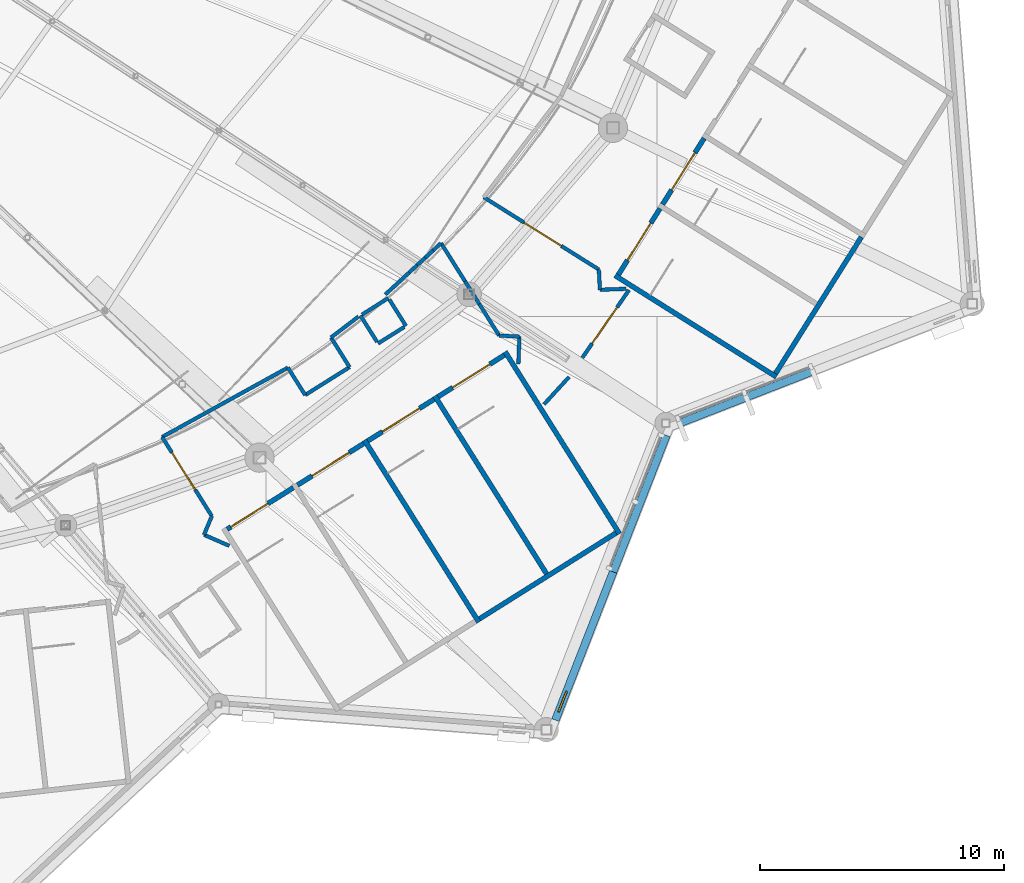
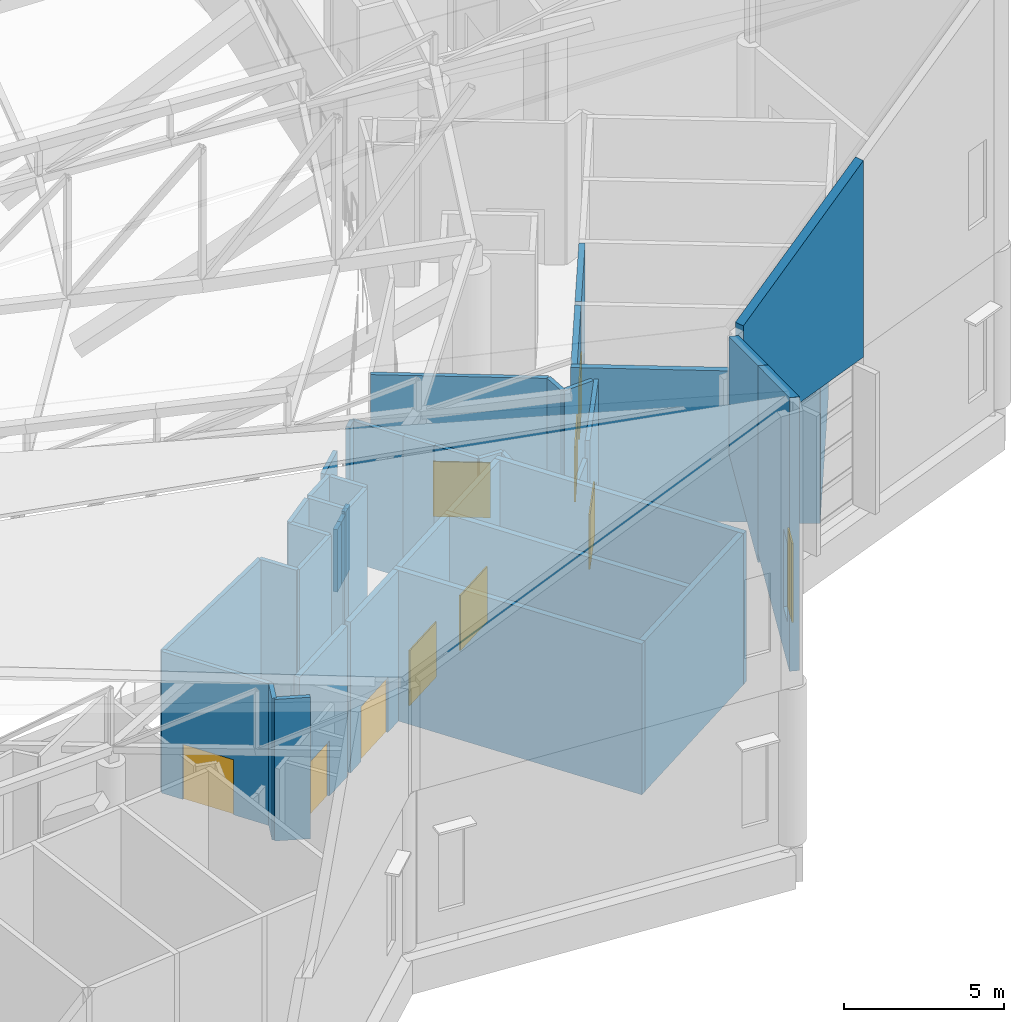
# One storey, part 255 of 344: 42 walls, 9 doors, 1 window, 10 openings.
"""IFC4 building model written with IfcOpenShell, lengths in metres."""

from ifc_helpers import new_model, si_unit, direction, frame, frame_2d, origin, place, context, subcontext, project, spatial, polyline, rectangle, outline, extrude, material, layer, layer_set, type_object, element, fill, save


model = new_model("IFC4")

# Units and contexts
model_context = context("Model", 3, precision=1e-05, world=origin(), true_north=direction((0.0, 1.0)))
body_context = subcontext(model_context, "Body", "Model", "MODEL_VIEW")
ifc_project = project(units=[si_unit("LENGTHUNIT", "METRE"), si_unit("AREAUNIT", "SQUARE_METRE"), si_unit("VOLUMEUNIT", "CUBIC_METRE"), si_unit("PLANEANGLEUNIT", "RADIAN"), si_unit("MASSUNIT", "GRAM", prefix="KILO")], contexts=[model_context])

# Site, building, storey
site_placement = place(None, origin())
site = spatial("IfcSite", under=ifc_project, at=site_placement, CompositionType="ELEMENT")
building_placement = place(site_placement, origin())
building = spatial("IfcBuilding", under=site, at=building_placement, Name="Meseta Stadium", CompositionType="ELEMENT")
storey_placement = place(building_placement, frame((0.0, 0.0, 24.0)))
storey = spatial("IfcBuildingStorey", under=building, at=storey_placement, Name="L04", CompositionType="ELEMENT", Elevation=24.0)

# Walls
ifc_material_1 = material(Name="Concrete C40/50", Category="concrete")
ifc_layer_1 = layer(ifc_material_1, 0.199951171875)
ifc_layer_set_1 = layer_set([ifc_layer_1], Name="Core divider wall 200")
wall_type_1 = type_object("IfcWallType", Name="Core divider wall 200", PredefinedType="SHEAR", material=ifc_layer_set_1)
wall_1_placement = place(storey_placement, frame((75.5869140625, -90.696533203125, 0.0), z_axis=(0.0, 0.0, 1.0), x_axis=(-0.532044832901, 0.846716183726, 0.0)))
element("IfcWall", 1, at=wall_1_placement, inside=storey, type_object=wall_type_1, Name="Core 27 L04 stair B divider wall", PredefinedType="SHEAR", context=body_context, shape_type="SweptSolid", body=[
    extrude(rectangle(XDim=8.7998046875, YDim=0.199951171875, at=frame_2d((4.39990234375, 0.0))), origin(), (0.0, 0.0, 1.0), 5.75),
])
ifc_material_2 = material(Name="Concrete C40/50", Category="concrete")
ifc_layer_2 = layer(ifc_material_2, 0.199951171875)
ifc_layer_set_2 = layer_set([ifc_layer_2], Name="Core shaft wall 200")
wall_type_2 = type_object("IfcWallType", Name="Core shaft wall 200", PredefinedType="SHEAR", material=ifc_layer_set_2)
for number, where, z_axis, x_axis, name in (
    (2, (72.7080078125, -92.505615234375, 0.0), (0.0, 0.0, 1.0), (-0.532032334759, 0.846724036963, 0.0), "Core 27 L04 stair wall shared"),
    (3, (78.4658203125, -88.8876953125, 0.0), (0.0, 0.0, 1.0), (-0.532032334759, 0.846724036963, 0.0), "Core 27 L04 stair wall B-side"),
):
    element("IfcWall", number, at=place(storey_placement, frame(where, z_axis=z_axis, x_axis=x_axis)), inside=storey, type_object=wall_type_2, Name=name, PredefinedType="SHEAR", context=body_context, shape_type="SweptSolid", body=[
        extrude(rectangle(XDim=8.800048828125, YDim=0.199951171875, at=frame_2d((4.39990234375, 0.0))), origin(), (0.0, 0.0, 1.0), 5.75),
    ])
wall_2_placement = place(storey_placement, frame((72.739501953125, -92.36767578125, 0.0), z_axis=(0.0, 0.0, 1.0), x_axis=(0.846719870989, 0.532038964807, 0.0)))
element("IfcWall", 4, at=wall_2_placement, inside=storey, type_object=wall_type_2, Name="Core 27 L04 stair B outer end wall", PredefinedType="SHEAR", context=body_context, shape_type="SweptSolid", body=[
    extrude(rectangle(XDim=6.60009765625, YDim=0.199951171875, at=frame_2d((3.300048828125, 0.0))), origin(), (0.0, 0.0, 1.0), 5.75),
])

# Wall, opening, door
wall_3_placement = place(storey_placement, frame((62.40625, -88.70361328125, 0.0), z_axis=(0.0, 0.0, 1.0), x_axis=(0.846735733015, 0.532013720158, 0.0)))
wall_3 = element("IfcWall", 5, at=wall_3_placement, inside=storey, type_object=wall_type_2, Name="Core 27 L04 stair A1 inner end wall", PredefinedType="SHEAR", context=body_context, shape_type="SweptSolid", body=[
    extrude(rectangle(XDim=3.199951171875, YDim=0.199951171875, at=frame_2d((1.60009765625, 0.0))), origin(), (0.0, 0.0, 1.0), 5.75),
])
opening_1_placement = place(wall_3_placement, frame((0.177978515625, 0.0, 0.0)))
opening_1 = element("IfcOpeningElement", 6, at=opening_1_placement, cuts=wall_3, Name="Opening D1620", PredefinedType="OPENING", context=body_context, shape_type="SweptSolid", body=[
    extrude(rectangle(XDim=1.800048828125, YDim=2.10009765625, at=frame_2d((0.89990234375, 1.050048828125))), frame((0.0, 0.10986328125, 0.0), z_axis=(0.0, -1.0, 0.0), x_axis=(1.0, 0.0, 0.0)), (0.0, 0.0, 1.0), 0.219970703125),
])
ifc_material_3 = material(Name="Steel", Category="steel")
door_type_1 = type_object("IfcDoorType", Name="Stair door 1800x2100", OperationType="DOUBLE_DOOR_SINGLE_SWING", PredefinedType="DOOR", material=ifc_material_3)
door_1_placement = place(opening_1_placement, origin())
door_1 = element("IfcDoor", 7, at=door_1_placement, inside=storey, type_object=door_type_1, Name="Stair A1 door 27 L04", OperationType="DOUBLE_DOOR_SINGLE_SWING", OverallHeight=2.10009765625, OverallWidth=1.800048828125, PredefinedType="DOOR", context=body_context, shape_type="SweptSolid", body=[
    extrude(rectangle(XDim=1.800048828125, YDim=2.10009765625, at=frame_2d((0.89990234375, 1.050048828125))), frame((0.0, 0.02490234375, 0.0), z_axis=(0.0, -1.0, 0.0), x_axis=(1.0, 0.0, 0.0)), (0.0, 0.0, 1.0), 0.050048828125),
])
fill(opening_1, door_1)

wall_4_placement = place(storey_placement, frame((65.28515625, -86.894775390625, 0.0), z_axis=(0.0, 0.0, 1.0), x_axis=(0.846735733015, 0.532013720158, 0.0)))
wall_4 = element("IfcWall", 8, at=wall_4_placement, inside=storey, type_object=wall_type_2, Name="Core 27 L04 stair A2 inner end wall", PredefinedType="SHEAR", context=body_context, shape_type="SweptSolid", body=[
    extrude(rectangle(XDim=3.199951171875, YDim=0.199951171875, at=frame_2d((1.60009765625, 0.0))), origin(), (0.0, 0.0, 1.0), 5.75),
])
opening_2_placement = place(wall_4_placement, frame((0.699951171875, 0.0, 0.0)))
opening_2 = element("IfcOpeningElement", 9, at=opening_2_placement, cuts=wall_4, Name="Opening D1623", PredefinedType="OPENING", context=body_context, shape_type="SweptSolid", body=[
    extrude(rectangle(XDim=1.800048828125, YDim=2.10009765625, at=frame_2d((0.89990234375, 1.050048828125))), frame((0.0, 0.10986328125, 0.0), z_axis=(0.0, -1.0, 0.0), x_axis=(1.0, 0.0, 0.0)), (0.0, 0.0, 1.0), 0.219970703125),
])
door_2_placement = place(opening_2_placement, origin())
door_2 = element("IfcDoor", 10, at=door_2_placement, inside=storey, type_object=door_type_1, Name="Stair A2 door 27 L04", OperationType="DOUBLE_DOOR_SINGLE_SWING", OverallHeight=2.10009765625, OverallWidth=1.800048828125, PredefinedType="DOOR", context=body_context, shape_type="SweptSolid", body=[
    extrude(rectangle(XDim=1.800048828125, YDim=2.10009765625, at=frame_2d((0.89990234375, 1.050048828125))), frame((0.0, 0.02490234375, 0.0), z_axis=(0.0, -1.0, 0.0), x_axis=(1.0, 0.0, 0.0)), (0.0, 0.0, 1.0), 0.050048828125),
])
fill(opening_2, door_2)

wall_5_placement = place(storey_placement, frame((68.1640625, -85.0859375, 0.0), z_axis=(0.0, 0.0, 1.0), x_axis=(0.84670136309, 0.53206841829, 0.0)))
wall_5 = element("IfcWall", 11, at=wall_5_placement, inside=storey, type_object=wall_type_2, Name="Core 27 L04 stair B1 inner end wall", PredefinedType="SHEAR", context=body_context, shape_type="SweptSolid", body=[
    extrude(rectangle(XDim=3.199951171875, YDim=0.199951171875, at=frame_2d((1.60009765625, 0.0))), origin(), (0.0, 0.0, 1.0), 5.75),
])
opening_3_placement = place(wall_5_placement, frame((0.699951171875, 0.0, 0.0)))
opening_3 = element("IfcOpeningElement", 12, at=opening_3_placement, cuts=wall_5, Name="Opening D1624", PredefinedType="OPENING", context=body_context, shape_type="SweptSolid", body=[
    extrude(rectangle(XDim=1.800048828125, YDim=2.10009765625, at=frame_2d((0.89990234375, 1.050048828125))), frame((0.0, 0.10986328125, 0.0), z_axis=(0.0, -1.0, 0.0), x_axis=(1.0, 0.0, 0.0)), (0.0, 0.0, 1.0), 0.219970703125),
])
door_3_placement = place(opening_3_placement, origin())
door_3 = element("IfcDoor", 13, at=door_3_placement, inside=storey, type_object=door_type_1, Name="Stair B1 door 27 L04", OperationType="DOUBLE_DOOR_SINGLE_SWING", OverallHeight=2.10009765625, OverallWidth=1.800048828125, PredefinedType="DOOR", context=body_context, shape_type="SweptSolid", body=[
    extrude(rectangle(XDim=1.800048828125, YDim=2.10009765625, at=frame_2d((0.89990234375, 1.050048828125))), frame((0.0, 0.02490234375, 0.0), z_axis=(0.0, -1.0, 0.0), x_axis=(1.0, 0.0, 0.0)), (0.0, 0.0, 1.0), 0.050048828125),
])
fill(opening_3, door_3)

wall_6_placement = place(storey_placement, frame((71.04296875, -83.27685546875, 0.0), z_axis=(0.0, 0.0, 1.0), x_axis=(0.846735733015, 0.532013720158, 0.0)))
wall_6 = element("IfcWall", 14, at=wall_6_placement, inside=storey, type_object=wall_type_2, Name="Core 27 L04 stair B2 inner end wall", PredefinedType="SHEAR", context=body_context, shape_type="SweptSolid", body=[
    extrude(rectangle(XDim=3.199951171875, YDim=0.199951171875, at=frame_2d((1.60009765625, 0.0))), origin(), (0.0, 0.0, 1.0), 5.75),
])
opening_4_placement = place(wall_6_placement, frame((0.699951171875, 0.0, 0.0)))
opening_4 = element("IfcOpeningElement", 15, at=opening_4_placement, cuts=wall_6, Name="Opening D1626", PredefinedType="OPENING", context=body_context, shape_type="SweptSolid", body=[
    extrude(rectangle(XDim=1.800048828125, YDim=2.10009765625, at=frame_2d((0.89990234375, 1.050048828125))), frame((0.0, 0.10986328125, 0.0), z_axis=(0.0, -1.0, 0.0), x_axis=(1.0, 0.0, 0.0)), (0.0, 0.0, 1.0), 0.219970703125),
])
door_4_placement = place(opening_4_placement, origin())
door_4 = element("IfcDoor", 16, at=door_4_placement, inside=storey, type_object=door_type_1, Name="Stair B2 door 27 L04", OperationType="DOUBLE_DOOR_SINGLE_SWING", OverallHeight=2.10009765625, OverallWidth=1.800048828125, PredefinedType="DOOR", context=body_context, shape_type="SweptSolid", body=[
    extrude(rectangle(XDim=1.800048828125, YDim=2.10009765625, at=frame_2d((0.89990234375, 1.050048828125))), frame((0.0, 0.02490234375, 0.0), z_axis=(0.0, -1.0, 0.0), x_axis=(1.0, 0.0, 0.0)), (0.0, 0.0, 1.0), 0.050048828125),
])
fill(opening_4, door_4)

# Walls
wall_7_placement = place(storey_placement, frame((84.8876953125, -82.4658203125, 0.0), z_axis=(0.0, 0.0, 1.0), x_axis=(-0.846722763703, 0.532034361135, 0.0)))
element("IfcWall", 17, at=wall_7_placement, inside=storey, type_object=wall_type_2, Name="Core 28 L04 stair wall A-side", PredefinedType="SHEAR", context=body_context, shape_type="SweptSolid", body=[
    extrude(rectangle(XDim=7.800048828125, YDim=0.199951171875, at=frame_2d((3.89990234375, 0.0))), origin(), (0.0, 0.0, 1.0), 5.75),
])
wall_8_placement = place(storey_placement, frame((84.856201171875, -82.327880859375, 0.0), z_axis=(0.0, 0.0, 1.0), x_axis=(0.532038964807, 0.846719870989, 0.0)))
element("IfcWall", 18, at=wall_8_placement, inside=storey, type_object=wall_type_2, Name="Core 28 L04 stair A outer end wall", PredefinedType="SHEAR", context=body_context, shape_type="SweptSolid", body=[
    extrude(rectangle(XDim=6.60009765625, YDim=0.199951171875, at=frame_2d((3.300048828125, 0.0))), origin(), (0.0, 0.0, 1.0), 5.75),
])

# Wall, opening, door
wall_9_placement = place(storey_placement, frame((78.421142578125, -78.284423828125, 0.0), z_axis=(0.0, 0.0, 1.0), x_axis=(0.53206841829, 0.84670136309, 0.0)))
wall_9 = element("IfcWall", 19, at=wall_9_placement, inside=storey, type_object=wall_type_2, Name="Core 28 L04 stair A1 inner end wall", PredefinedType="SHEAR", context=body_context, shape_type="SweptSolid", body=[
    extrude(rectangle(XDim=3.199951171875, YDim=0.199951171875, at=frame_2d((1.60009765625, 0.0))), origin(), (0.0, 0.0, 1.0), 5.75),
])
opening_5_placement = place(wall_9_placement, frame((0.699951171875, 0.0, 0.0)))
opening_5 = element("IfcOpeningElement", 20, at=opening_5_placement, cuts=wall_9, Name="Opening D1633", PredefinedType="OPENING", context=body_context, shape_type="SweptSolid", body=[
    extrude(rectangle(XDim=1.800048828125, YDim=2.10009765625, at=frame_2d((0.89990234375, 1.050048828125))), frame((0.0, 0.10986328125, 0.0), z_axis=(0.0, -1.0, 0.0), x_axis=(1.0, 0.0, 0.0)), (0.0, 0.0, 1.0), 0.219970703125),
])
door_5_placement = place(opening_5_placement, origin())
door_5 = element("IfcDoor", 21, at=door_5_placement, inside=storey, type_object=door_type_1, Name="Stair A1 door 28 L04", OperationType="DOUBLE_DOOR_SINGLE_SWING", OverallHeight=2.10009765625, OverallWidth=1.800048828125, PredefinedType="DOOR", context=body_context, shape_type="SweptSolid", body=[
    extrude(rectangle(XDim=1.800048828125, YDim=2.10009765625, at=frame_2d((0.89990234375, 1.050048828125))), frame((0.0, 0.02490234375, 0.0), z_axis=(0.0, -1.0, 0.0), x_axis=(1.0, 0.0, 0.0)), (0.0, 0.0, 1.0), 0.050048828125),
])
fill(opening_5, door_5)

wall_10_placement = place(storey_placement, frame((80.22998046875, -75.405517578125, 0.0), z_axis=(0.0, 0.0, 1.0), x_axis=(0.53206841829, 0.84670136309, 0.0)))
wall_10 = element("IfcWall", 22, at=wall_10_placement, inside=storey, type_object=wall_type_2, Name="Core 28 L04 stair A2 inner end wall", PredefinedType="SHEAR", context=body_context, shape_type="SweptSolid", body=[
    extrude(rectangle(XDim=3.199951171875, YDim=0.199951171875, at=frame_2d((1.60009765625, 0.0))), origin(), (0.0, 0.0, 1.0), 5.75),
])
opening_6_placement = place(wall_10_placement, frame((0.699951171875, 0.0, 0.0)))
opening_6 = element("IfcOpeningElement", 23, at=opening_6_placement, cuts=wall_10, Name="Opening D1635", PredefinedType="OPENING", context=body_context, shape_type="SweptSolid", body=[
    extrude(rectangle(XDim=1.800048828125, YDim=2.10009765625, at=frame_2d((0.89990234375, 1.050048828125))), frame((0.0, 0.10986328125, 0.0), z_axis=(0.0, -1.0, 0.0), x_axis=(1.0, 0.0, 0.0)), (0.0, 0.0, 1.0), 0.219970703125),
])
door_6_placement = place(opening_6_placement, origin())
door_6 = element("IfcDoor", 24, at=door_6_placement, inside=storey, type_object=door_type_1, Name="Stair A2 door 28 L04", OperationType="DOUBLE_DOOR_SINGLE_SWING", OverallHeight=2.10009765625, OverallWidth=1.800048828125, PredefinedType="DOOR", context=body_context, shape_type="SweptSolid", body=[
    extrude(rectangle(XDim=1.800048828125, YDim=2.10009765625, at=frame_2d((0.89990234375, 1.050048828125))), frame((0.0, 0.02490234375, 0.0), z_axis=(0.0, -1.0, 0.0), x_axis=(1.0, 0.0, 0.0)), (0.0, 0.0, 1.0), 0.050048828125),
])
fill(opening_6, door_6)

# Wall
ifc_material_4 = material(Name="Masonry blockwork", Category="masonry")
ifc_layer_3 = layer(ifc_material_4, 0.14990234375)
ifc_layer_set_3 = layer_set([ifc_layer_3], Name="Partition 150")
wall_type_3 = type_object("IfcWallType", Name="Partition 150", PredefinedType="PARTITIONING", material=ifc_layer_set_3)
wall_11_placement = place(storey_placement, frame((75.374755859375, -83.592529296875, 0.0), z_axis=(0.0, 0.0, 1.0), x_axis=(0.675448373627, 0.737407278622, 0.0)))
element("IfcWall", 25, at=wall_11_placement, inside=storey, type_object=wall_type_3, Name="Partition L04 L04-cell26-1-0", PredefinedType="PARTITIONING", context=body_context, shape_type="SweptSolid", body=[
    extrude(rectangle(XDim=1.52099609375, YDim=0.14990234375, at=frame_2d((0.760498046875, 0.0))), origin(), (0.0, 0.0, 1.0), 5.39990234375),
])

# Wall, opening, door
wall_12_placement = place(storey_placement, frame((76.947021484375, -81.679931640625, 0.0), z_axis=(0.0, 0.0, 1.0), x_axis=(0.567452953266, 0.823405820862, 0.0)))
wall_12 = element("IfcWall", 26, at=wall_12_placement, inside=storey, type_object=wall_type_3, Name="Partition L04 L04-cell26-1-0", PredefinedType="PARTITIONING", context=body_context, shape_type="SweptSolid", body=[
    extrude(rectangle(XDim=3.3623046875, YDim=0.14990234375, at=frame_2d((1.68115234375, 0.0))), origin(), (0.0, 0.0, 1.0), 5.39990234375),
])
opening_7_placement = place(wall_12_placement, frame((0.699951171875, 0.0, 0.0)))
opening_7 = element("IfcOpeningElement", 27, at=opening_7_placement, cuts=wall_12, Name="Opening D1631", PredefinedType="OPENING", context=body_context, shape_type="SweptSolid", body=[
    extrude(rectangle(XDim=1.800048828125, YDim=2.10009765625, at=frame_2d((0.89990234375, 1.050048828125))), frame((0.0, 0.0849609375, 0.0), z_axis=(0.0, -1.0, 0.0), x_axis=(1.0, 0.0, 0.0)), (0.0, 0.0, 1.0), 0.169921875),
])
ifc_material_5 = material(Name="Timber", Category="wood")
door_type_2 = type_object("IfcDoorType", Name="Room double door 1800x2100", OperationType="DOUBLE_DOOR_SINGLE_SWING", PredefinedType="DOOR", material=ifc_material_5)
door_7_placement = place(opening_7_placement, origin())
door_7 = element("IfcDoor", 28, at=door_7_placement, inside=storey, type_object=door_type_2, Name="Room door L04 L04-cell26-1-0", OperationType="DOUBLE_DOOR_SINGLE_SWING", OverallHeight=2.10009765625, OverallWidth=1.800048828125, PredefinedType="DOOR", context=body_context, shape_type="SweptSolid", body=[
    extrude(rectangle(XDim=1.800048828125, YDim=2.10009765625, at=frame_2d((0.89990234375, 1.050048828125))), frame((0.0, 0.02490234375, 0.0), z_axis=(0.0, -1.0, 0.0), x_axis=(1.0, 0.0, 0.0)), (0.0, 0.0, 1.0), 0.050048828125),
])
fill(opening_7, door_7)

# Walls
for number, where, z_axis, x_axis, name in (
    (29, (68.58203125, -81.09912109375, 0.0), (0.0, 0.0, 1.0), (0.846683377265, 0.532097038765, 0.0), "Pressurisation shaft wall L04 core 27"),
    (30, (69.72509765625, -80.380859375, 0.0), (0.0, 0.0, 1.0), (-0.532097038765, 0.846683377265, 0.0), "Pressurisation shaft wall L04 core 27"),
):
    element("IfcWall", number, at=place(storey_placement, frame(where, z_axis=z_axis, x_axis=x_axis)), inside=storey, type_object=wall_type_3, Name=name, PredefinedType="PARTITIONING", context=body_context, shape_type="SweptSolid", body=[
        extrude(rectangle(XDim=1.275146484375, YDim=0.14990234375, at=frame_2d((0.6376953125, 0.0))), origin(), (0.0, 0.0, 1.0), 5.39990234375),
    ])
for number, where, z_axis, x_axis, name in (
    (31, (69.0068359375, -79.23779296875, 0.0), (0.0, 0.0, 1.0), (-0.846769635862, -0.531959757672, 0.0), "Pressurisation shaft wall L04 core 27"),
    (32, (67.86376953125, -79.9560546875, 0.0), (0.0, 0.0, 1.0), (0.531959757672, -0.846769635862, 0.0), "Pressurisation shaft wall L04 core 27"),
):
    element("IfcWall", number, at=place(storey_placement, frame(where, z_axis=z_axis, x_axis=x_axis)), inside=storey, type_object=wall_type_3, Name=name, PredefinedType="PARTITIONING", context=body_context, shape_type="SweptSolid", body=[
        extrude(rectangle(XDim=1.27490234375, YDim=0.14990234375, at=frame_2d((0.637451171875, 0.0))), origin(), (0.0, 0.0, 1.0), 5.39990234375),
    ])
wall_13_placement = place(storey_placement, frame((74.327392578125, -81.945068359375, 0.0), z_axis=(0.0, 0.0, 1.0), x_axis=(0.036378937231, 0.999338067386, 0.0)))
element("IfcWall", 33, at=wall_13_placement, inside=storey, type_object=wall_type_3, Name="Stair vestibule wall L04 core 27", PredefinedType="PARTITIONING", context=body_context, shape_type="SweptSolid", body=[
    extrude(rectangle(XDim=1.12744140625, YDim=0.14990234375, at=frame_2d((0.563720703125, 0.0))), origin(), (0.0, 0.0, 1.0), 5.39990234375),
])
wall_14_placement = place(storey_placement, frame((74.368408203125, -80.818359375, 0.0), z_axis=(0.0, 0.0, 1.0), x_axis=(-0.998598265522, 0.052929236688, 0.0)))
element("IfcWall", 34, at=wall_14_placement, inside=storey, type_object=wall_type_3, Name="Stair vestibule wall L04 core 27", PredefinedType="PARTITIONING", context=body_context, shape_type="SweptSolid", body=[
    extrude(rectangle(XDim=0.830322265625, YDim=0.14990234375, at=frame_2d((0.4150390625, 0.0))), origin(), (0.0, 0.0, 1.0), 5.39990234375),
])
wall_15_placement = place(storey_placement, frame((73.539306640625, -80.7744140625, 0.0), z_axis=(0.0, 0.0, 1.0), x_axis=(-0.531874468788, 0.84682321027, 0.0)))
element("IfcWall", 35, at=wall_15_placement, inside=storey, type_object=wall_type_3, Name="Stair vestibule wall L04 core 27", PredefinedType="PARTITIONING", context=body_context, shape_type="SweptSolid", body=[
    extrude(rectangle(XDim=1.53173828125, YDim=0.14990234375, at=frame_2d((0.765869140625, 0.0))), origin(), (0.0, 0.0, 1.0), 5.39990234375),
])
wall_16_placement = place(storey_placement, frame((72.143310546875, -78.55224609375, 0.0), z_axis=(0.0, 0.0, 1.0), x_axis=(-0.53205501577, 0.846709785106, 0.0)))
element("IfcWall", 36, at=wall_16_placement, inside=storey, type_object=wall_type_3, Name="Stair vestibule wall L04 core 27", PredefinedType="PARTITIONING", context=body_context, shape_type="SweptSolid", body=[
    extrude(rectangle(XDim=1.844970703125, YDim=0.14990234375, at=frame_2d((0.92236328125, 0.0))), origin(), (0.0, 0.0, 1.0), 5.39990234375),
])
wall_17_placement = place(storey_placement, frame((71.16162109375, -76.989990234375, 0.0), z_axis=(0.0, 0.0, 1.0), x_axis=(-0.735119559596, -0.677937484654, 0.0)))
element("IfcWall", 37, at=wall_17_placement, inside=storey, type_object=wall_type_3, Name="Stair vestibule wall L04 core 27", PredefinedType="PARTITIONING", context=body_context, shape_type="SweptSolid", body=[
    extrude(rectangle(XDim=0.444091796875, YDim=0.14990234375, at=frame_2d((0.22216796875, 0.0))), origin(), (0.0, 0.0, 1.0), 5.39990234375),
])
wall_18_placement = place(storey_placement, frame((70.835205078125, -77.291015625, 0.0), z_axis=(0.0, 0.0, 1.0), x_axis=(-0.735140890353, -0.677914353979, 0.0)))
element("IfcWall", 38, at=wall_18_placement, inside=storey, type_object=wall_type_3, Name="Stair vestibule wall L04 core 27", PredefinedType="PARTITIONING", context=body_context, shape_type="SweptSolid", body=[
    extrude(rectangle(XDim=0.443603515625, YDim=0.14990234375, at=frame_2d((0.2216796875, 0.0))), origin(), (0.0, 0.0, 1.0), 2.464599609375),
])
for number, where, z_axis, x_axis, name in (
    (39, (70.509033203125, -77.591796875, 0.0), (0.0, 0.0, 1.0), (-0.73486670596, -0.67821156321, 0.0), "Stair vestibule wall L04 core 27"),
    (40, (70.182861328125, -77.892822265625, 0.0), (0.0, 0.0, 1.0), (-0.73486670596, -0.67821156321, 0.0), "Stair vestibule wall L04 core 27"),
):
    element("IfcWall", number, at=place(storey_placement, frame(where, z_axis=z_axis, x_axis=x_axis)), inside=storey, type_object=wall_type_3, Name=name, PredefinedType="PARTITIONING", context=body_context, shape_type="SweptSolid", body=[
        extrude(rectangle(XDim=0.44384765625, YDim=0.14990234375, at=frame_2d((0.221923828125, 0.0))), origin(), (0.0, 0.0, 1.0), 2.38134765625),
    ])
wall_19_placement = place(storey_placement, frame((69.856689453125, -78.19384765625, 0.0), z_axis=(0.0, 0.0, 1.0), x_axis=(-0.735035309116, -0.67802883003, 0.0)))
element("IfcWall", 41, at=wall_19_placement, inside=storey, type_object=wall_type_3, Name="Stair vestibule wall L04 core 27", PredefinedType="PARTITIONING", context=body_context, shape_type="SweptSolid", body=[
    extrude(rectangle(XDim=1.33203125, YDim=0.14990234375, at=frame_2d((0.666015625, 0.0))), origin(), (0.0, 0.0, 1.0), 5.39990234375),
])
wall_20_placement = place(storey_placement, frame((67.781005859375, -79.997314453125, 0.0), z_axis=(0.0, 0.0, 1.0), x_axis=(-0.795835931132, -0.605512320865, 0.0)))
element("IfcWall", 42, at=wall_20_placement, inside=storey, type_object=wall_type_3, Name="Stair vestibule wall L04 core 27", PredefinedType="PARTITIONING", context=body_context, shape_type="SweptSolid", body=[
    extrude(rectangle(XDim=1.41357421875, YDim=0.14990234375, at=frame_2d((0.706787109375, 0.0))), origin(), (0.0, 0.0, 1.0), 5.39990234375),
])
wall_21_placement = place(storey_placement, frame((66.656005859375, -80.853271484375, 0.0), z_axis=(0.0, 0.0, 1.0), x_axis=(0.531361594609, -0.847145120847, 0.0)))
element("IfcWall", 43, at=wall_21_placement, inside=storey, type_object=wall_type_3, Name="Stair vestibule wall L04 core 27", PredefinedType="PARTITIONING", context=body_context, shape_type="SweptSolid", body=[
    extrude(rectangle(XDim=1.4326171875, YDim=0.14990234375, at=frame_2d((0.71630859375, 0.0))), origin(), (0.0, 0.0, 1.0), 5.39990234375),
])
wall_22_placement = place(storey_placement, frame((67.417236328125, -82.06689453125, 0.0), z_axis=(0.0, 0.0, 1.0), x_axis=(-0.846705342026, -0.532062086401, 0.0)))
element("IfcWall", 44, at=wall_22_placement, inside=storey, type_object=wall_type_3, Name="Stair vestibule wall L04 core 27", PredefinedType="PARTITIONING", context=body_context, shape_type="SweptSolid", body=[
    extrude(rectangle(XDim=2.14697265625, YDim=0.14990234375, at=frame_2d((1.073486328125, 0.0))), origin(), (0.0, 0.0, 1.0), 5.39990234375),
])
wall_23_placement = place(storey_placement, frame((65.599365234375, -83.209228515625, 0.0), z_axis=(0.0, 0.0, 1.0), x_axis=(-0.533335266063, 0.845903950797, 0.0)))
element("IfcWall", 45, at=wall_23_placement, inside=storey, type_object=wall_type_3, Name="Stair vestibule wall L04 core 27", PredefinedType="PARTITIONING", context=body_context, shape_type="SweptSolid", body=[
    extrude(rectangle(XDim=1.3271484375, YDim=0.14990234375, at=frame_2d((0.66357421875, 0.0))), origin(), (0.0, 0.0, 1.0), 5.39990234375),
])
wall_24_placement = place(storey_placement, frame((64.8916015625, -82.086669921875, 0.0), z_axis=(0.0, 0.0, 1.0), x_axis=(-0.875606754079, -0.483024649694, 0.0)))
element("IfcWall", 46, at=wall_24_placement, inside=storey, type_object=wall_type_3, Name="Stair vestibule wall L04 core 27", PredefinedType="PARTITIONING", context=body_context, shape_type="SweptSolid", body=[
    extrude(rectangle(XDim=5.87939453125, YDim=0.14990234375, at=frame_2d((2.939697265625, 0.0))), origin(), (0.0, 0.0, 1.0), 5.39990234375),
])

# Wall, opening, door
wall_25_placement = place(storey_placement, frame((59.74365234375, -84.926513671875, 0.0), z_axis=(0.0, 0.0, 1.0), x_axis=(0.532017266831, -0.846733504589, 0.0)))
wall_25 = element("IfcWall", 47, at=wall_25_placement, inside=storey, type_object=wall_type_3, Name="Stair vestibule wall L04 core 27", PredefinedType="PARTITIONING", context=body_context, shape_type="SweptSolid", body=[
    extrude(rectangle(XDim=3.824462890625, YDim=0.14990234375, at=frame_2d((1.912109375, 0.0))), origin(), (0.0, 0.0, 1.0), 5.39990234375),
])
opening_8_placement = place(wall_25_placement, frame((0.75, 0.0, 0.0)))
opening_8 = element("IfcOpeningElement", 48, at=opening_8_placement, cuts=wall_25, Name="Opening D1616", PredefinedType="OPENING", context=body_context, shape_type="SweptSolid", body=[
    extrude(rectangle(XDim=1.800048828125, YDim=2.10009765625, at=frame_2d((0.89990234375, 1.050048828125))), frame((0.0, 0.0849609375, 0.0), z_axis=(0.0, -1.0, 0.0), x_axis=(1.0, 0.0, 0.0)), (0.0, 0.0, 1.0), 0.169921875),
])
ifc_material_6 = material(Name="Steel", Category="steel")
door_type_3 = type_object("IfcDoorType", Name="Fire double door 1800x2100 EI2 60", OperationType="DOUBLE_DOOR_SINGLE_SWING", PredefinedType="DOOR", material=ifc_material_6)
door_8_placement = place(opening_8_placement, origin())
door_8 = element("IfcDoor", 49, at=door_8_placement, inside=storey, type_object=door_type_3, Name="Stair vestibule door L04 core 27", OperationType="DOUBLE_DOOR_SINGLE_SWING", OverallHeight=2.10009765625, OverallWidth=1.800048828125, PredefinedType="DOOR", context=body_context, shape_type="SweptSolid", body=[
    extrude(rectangle(XDim=1.800048828125, YDim=2.10009765625, at=frame_2d((0.89990234375, 1.050048828125))), frame((0.0, 0.02490234375, 0.0), z_axis=(0.0, -1.0, 0.0), x_axis=(1.0, 0.0, 0.0)), (0.0, 0.0, 1.0), 0.050048828125),
])
fill(opening_8, door_8)

# Walls
wall_26_placement = place(storey_placement, frame((61.7783203125, -88.164794921875, 0.0), z_axis=(0.0, 0.0, 1.0), x_axis=(-0.386411782108, -0.922326371003, 0.0)))
element("IfcWall", 50, at=wall_26_placement, inside=storey, type_object=wall_type_3, Name="Stair vestibule wall L04 core 27", PredefinedType="PARTITIONING", context=body_context, shape_type="SweptSolid", body=[
    extrude(rectangle(XDim=0.82958984375, YDim=0.14990234375, at=frame_2d((0.414794921875, 0.0))), origin(), (0.0, 0.0, 1.0), 5.39990234375),
])
wall_27_placement = place(storey_placement, frame((61.457763671875, -88.929931640625, 0.0), z_axis=(0.0, 0.0, 1.0), x_axis=(0.916038066632, -0.401091336831, 0.0)))
element("IfcWall", 51, at=wall_27_placement, inside=storey, type_object=wall_type_3, Name="Stair vestibule wall L04 core 27", PredefinedType="PARTITIONING", context=body_context, shape_type="SweptSolid", body=[
    extrude(rectangle(XDim=1.1279296875, YDim=0.14990234375, at=frame_2d((0.56396484375, 0.0))), origin(), (0.0, 0.0, 1.0), 5.39990234375),
])
wall_28_placement = place(storey_placement, frame((72.724609375, -79.477294921875, 0.0), z_axis=(0.0, 0.0, 1.0), x_axis=(-0.532066281882, 0.846702705608, 0.0)))
element("IfcWall", 52, at=wall_28_placement, inside=storey, type_object=wall_type_3, Name="Stair vestibule wall L04 core 27", PredefinedType="PARTITIONING", context=body_context, shape_type="SweptSolid", body=[
    extrude(rectangle(XDim=1.092529296875, YDim=0.14990234375, at=frame_2d((0.54638671875, 0.0))), origin(), (0.0, 0.0, 1.0), 5.39990234375),
])

# Wall, opening, door
wall_29_placement = place(storey_placement, frame((72.912109375, -75.1123046875, 0.0), z_axis=(0.0, 0.0, 1.0), x_axis=(0.846713394786, -0.532049271299, 0.0)))
wall_29 = element("IfcWall", 53, at=wall_29_placement, inside=storey, type_object=wall_type_3, Name="Stair vestibule wall L04 core 28", PredefinedType="PARTITIONING", context=body_context, shape_type="SweptSolid", body=[
    extrude(rectangle(XDim=5.5615234375, YDim=0.14990234375, at=frame_2d((2.78076171875, 0.0))), origin(), (0.0, 0.0, 1.0), 5.39990234375),
])
opening_9_placement = place(wall_29_placement, frame((1.949951171875, 0.0, 0.0)))
opening_9 = element("IfcOpeningElement", 54, at=opening_9_placement, cuts=wall_29, Name="Opening D1628", PredefinedType="OPENING", context=body_context, shape_type="SweptSolid", body=[
    extrude(rectangle(XDim=1.800048828125, YDim=2.10009765625, at=frame_2d((0.89990234375, 1.050048828125))), frame((0.0, 0.0849609375, 0.0), z_axis=(0.0, -1.0, 0.0), x_axis=(1.0, 0.0, 0.0)), (0.0, 0.0, 1.0), 0.169921875),
])
door_9_placement = place(opening_9_placement, origin())
door_9 = element("IfcDoor", 55, at=door_9_placement, inside=storey, type_object=door_type_3, Name="Stair vestibule door L04 core 28", OperationType="DOUBLE_DOOR_SINGLE_SWING", OverallHeight=2.10009765625, OverallWidth=1.800048828125, PredefinedType="DOOR", context=body_context, shape_type="SweptSolid", body=[
    extrude(rectangle(XDim=1.800048828125, YDim=2.10009765625, at=frame_2d((0.89990234375, 1.050048828125))), frame((0.0, 0.02490234375, 0.0), z_axis=(0.0, -1.0, 0.0), x_axis=(1.0, 0.0, 0.0)), (0.0, 0.0, 1.0), 0.050048828125),
])
fill(opening_9, door_9)

# Walls
wall_30_placement = place(storey_placement, frame((77.62109375, -78.0712890625, 0.0), z_axis=(0.0, 0.0, 1.0), x_axis=(0.052666933407, -0.998612133977, 0.0)))
element("IfcWall", 56, at=wall_30_placement, inside=storey, type_object=wall_type_3, Name="Stair vestibule wall L04 core 28", PredefinedType="PARTITIONING", context=body_context, shape_type="SweptSolid", body=[
    extrude(rectangle(XDim=0.829833984375, YDim=0.14990234375, at=frame_2d((0.4150390625, 0.0))), origin(), (0.0, 0.0, 1.0), 5.39990234375),
])
wall_31_placement = place(storey_placement, frame((77.664794921875, -78.89990234375, 0.0), z_axis=(0.0, 0.0, 1.0), x_axis=(0.999352726787, 0.035973983147, 0.0)))
element("IfcWall", 57, at=wall_31_placement, inside=storey, type_object=wall_type_3, Name="Stair vestibule wall L04 core 28", PredefinedType="PARTITIONING", context=body_context, shape_type="SweptSolid", body=[
    extrude(rectangle(XDim=1.0791015625, YDim=0.14990234375, at=frame_2d((0.53955078125, 0.0))), origin(), (0.0, 0.0, 1.0), 5.39990234375),
])

# Wall, opening, window
ifc_material_7 = material(Name="White precast concrete C40/50", Category="concrete")
ifc_layer_4 = layer(ifc_material_7, 0.320068359375)
ifc_layer_set_4 = layer_set([ifc_layer_4], Name="Pleated fascia panel 320 raked")
wall_type_4 = type_object("IfcWallType", Name="Pleated fascia panel 320 raked", PredefinedType="SOLIDWALL", material=ifc_layer_set_4)
wall_32_placement = place(storey_placement, frame((78.208740234375, -90.447021484375, 6.0), z_axis=(0.0, 0.0, 1.0), x_axis=(-0.363305260642, -0.931670160298, 0.0)))
wall_32 = element("IfcWall", 58, at=wall_32_placement, inside=storey, type_object=wall_type_4, Name="Pleated fascia panel L04 F52", PredefinedType="SOLIDWALL", context=body_context, shape_type="SweptSolid", body=[
    extrude(outline(polyline([(0.0, 0.0), (6.513671875, 0.0), (6.513671875, 10.437744140625), (0.0, 7.147705078125), (0.0, 0.0)])), frame((0.0, 0.16015625, 0.0), z_axis=(0.0, -1.0, 0.0), x_axis=(1.0, 0.0, 0.0)), (0.0, 0.0, 1.0), 0.320068359375),
])
opening_10_placement = place(wall_32_placement, frame((5.250244140625, 0.0, 1.60009765625)))
opening_10 = element("IfcOpeningElement", 59, at=opening_10_placement, cuts=wall_32, Name="Opening W290", PredefinedType="OPENING", context=body_context, shape_type="SweptSolid", body=[
    extrude(rectangle(XDim=0.89990234375, YDim=3.0, at=frame_2d((0.449951171875, 1.5))), frame((0.0, 0.169921875, 0.0), z_axis=(0.0, -1.0, 0.0), x_axis=(1.0, 0.0, 0.0)), (0.0, 0.0, 1.0), 0.340087890625),
])
ifc_material_8 = material(Name="Aluminium", Category="aluminium")
window_type = type_object("IfcWindowType", Name="Slot window 900x3000", PartitioningType="SINGLE_PANEL", PredefinedType="WINDOW", material=ifc_material_8)
window_placement = place(opening_10_placement, origin())
window = element("IfcWindow", 60, at=window_placement, inside=storey, type_object=window_type, Name="Slot window L04 F52.6", OverallHeight=3.0, OverallWidth=0.89990234375, PartitioningType="SINGLE_PANEL", PredefinedType="WINDOW", context=body_context, shape_type="SweptSolid", body=[
    extrude(rectangle(XDim=0.89990234375, YDim=3.0, at=frame_2d((0.449951171875, 1.5))), frame((0.0, 0.030029296875, 0.0), z_axis=(0.0, -1.0, 0.0), x_axis=(1.0, 0.0, 0.0)), (0.0, 0.0, 1.0), 0.06005859375),
])
fill(opening_10, window)

# Walls
wall_33_placement = place(storey_placement, frame((80.388427734375, -84.85693359375, 5.64990234375), z_axis=(0.0, 0.0, 1.0), x_axis=(-0.36328064341, -0.931679759426, 0.0)))
element("IfcWall", 61, at=wall_33_placement, inside=storey, type_object=wall_type_4, Name="Pleated facade panel above atrium F52", PredefinedType="SOLIDWALL", context=body_context, shape_type="SweptSolid", body=[
    extrude(outline(polyline([(0.0, 0.0), (6.0, 0.0), (6.0, 7.497802734375), (0.0, 4.46728515625), (0.0, 0.0)])), frame((0.0, 0.16015625, 0.0), z_axis=(0.0, -1.0, 0.0), x_axis=(1.0, 0.0, 0.0)), (0.0, 0.0, 1.0), 0.320068359375),
])
wall_34_placement = place(storey_placement, frame((86.447021484375, -82.208740234375, 5.64990234375), z_axis=(0.0, 0.0, 1.0), x_axis=(-0.931679759426, -0.36328064341, 0.0)))
element("IfcWall", 62, at=wall_34_placement, inside=storey, type_object=wall_type_4, Name="Pleated facade panel above atrium F53", PredefinedType="SOLIDWALL", context=body_context, shape_type="SweptSolid", body=[
    extrude(outline(polyline([(0.0, 0.0), (6.0, 0.0), (6.0, 4.46728515625), (0.0, 7.497802734375), (0.0, 0.0)])), frame((0.0, 0.16015625, 0.0), z_axis=(0.0, -1.0, 0.0), x_axis=(1.0, 0.0, 0.0)), (0.0, 0.0, 1.0), 0.320068359375),
])

save(model, "model.ifc")
